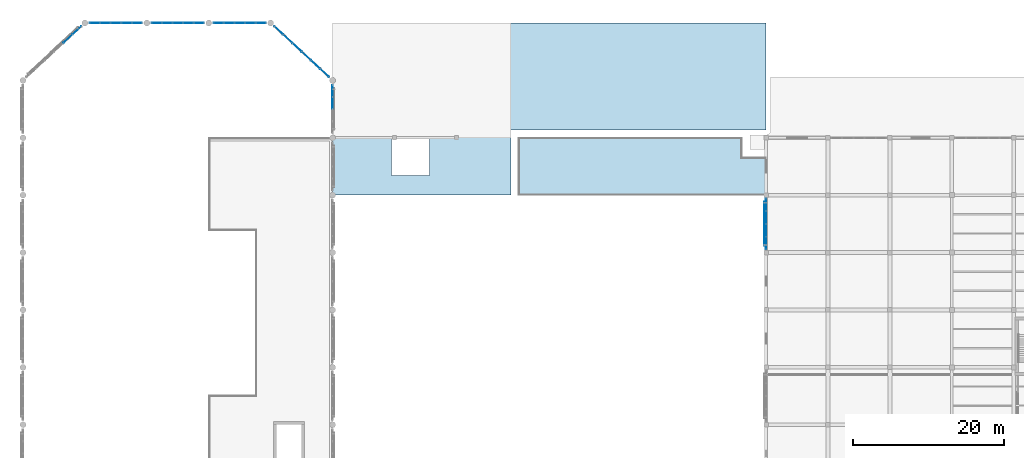
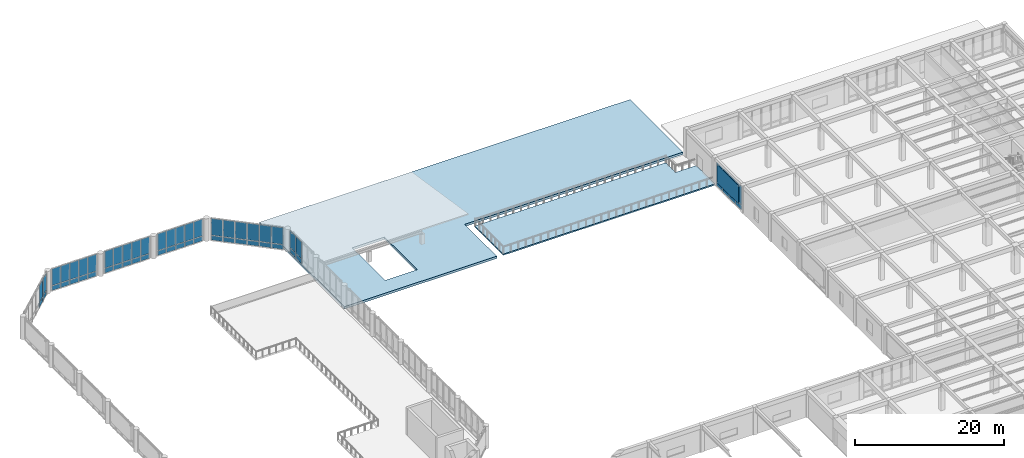
# One storey, part 31 of 49: 59 plates, 2 slabs, 7 elements without a shape of their own.
"""IFC4 building model written with IfcOpenShell, lengths in metres."""

from ifc_helpers import new_model, si_unit, direction, frame, origin, origin_2d, place, context, subcontext, project, spatial, polyline, rectangle, outline, extrude, material, layer, layer_set, type_object, element, aggregate, save


model = new_model("IFC4")

# Units and contexts
model_context = context("Model", 3, precision=1e-05, world=origin(), true_north=direction((0.0, 1.0)))
body_context = subcontext(model_context, "Body", "Model", "MODEL_VIEW")
ifc_project = project(units=[si_unit("LENGTHUNIT", "METRE"), si_unit("AREAUNIT", "SQUARE_METRE"), si_unit("VOLUMEUNIT", "CUBIC_METRE"), si_unit("PLANEANGLEUNIT", "RADIAN"), si_unit("MASSUNIT", "GRAM", prefix="KILO")], contexts=[model_context])

# Site, building, storey
site_placement = place(None, origin())
site = spatial("IfcSite", under=ifc_project, at=site_placement, CompositionType="ELEMENT")
building_placement = place(site_placement, origin())
building = spatial("IfcBuilding", under=site, at=building_placement, Name="Qandaris Square Conservatory and Botanical Centre", CompositionType="ELEMENT")
storey_placement = place(building_placement, frame((0.0, 0.0, 10.199951171875)))
storey = spatial("IfcBuildingStorey", under=building, at=storey_placement, Name="L02", CompositionType="ELEMENT", Elevation=10.199951171875)

# Curtain wall, plates
ifc_material_1 = material(Name="Anodised Aluminium", Category="aluminium")
curtain_wall_type_1 = type_object("IfcCurtainWallType", Name="Unitised Curtain Wall CW-2-644x370", PredefinedType="USERDEFINED", material=ifc_material_1)
curtain_wall_1_placement = place(storey_placement, origin())
curtain_wall_1 = element("IfcCurtainWall", 1, at=curtain_wall_1_placement, inside=storey, type_object=curtain_wall_type_1, Name="Curtain Wall CW-CON-L02-3-7", ObjectType="GLAZED CURTAIN WALL", PredefinedType="USERDEFINED")
ifc_material_2 = material(Name="Tempered Low-E Glass", Category="glass")
ifc_layer_1 = layer(ifc_material_2, 0.0400390625)
ifc_layer_set_1 = layer_set([ifc_layer_1], Name="Tempered Low-E Glass")
plate_type_1 = type_object("IfcPlateType", Name="Conservatory Laminated Low-Iron Biome Glass 40mm", PredefinedType="CURTAIN_PANEL", material=ifc_layer_set_1)
plate_1_placement = place(storey_placement, frame((57.199951171875, 104.804931640625, 0.0751953125), z_axis=(0.0, 0.0, 1.0), x_axis=(0.0, 1.0, 0.0)))
plate_1 = element("IfcPlate", 2, at=plate_1_placement, type_object=plate_type_1, Name="CW-2-644x370 panel 3.1", PredefinedType="CURTAIN_PANEL", context=body_context, shape_type="SweptSolid", body=[
    extrude(rectangle(XDim=1.534912109375, YDim=0.0400390625, at=origin_2d()), origin(), (0.0, 0.0, 1.0), 0.737548828125),
])
plate_2_placement = place(storey_placement, frame((57.199951171875, 104.804931640625, 0.8876953125), z_axis=(0.0, 0.0, 1.0), x_axis=(0.0, 1.0, 0.0)))
plate_2 = element("IfcPlate", 3, at=plate_2_placement, type_object=plate_type_1, Name="CW-2-644x370 panel 3.2", PredefinedType="CURTAIN_PANEL", context=body_context, shape_type="SweptSolid", body=[
    extrude(rectangle(XDim=1.534912109375, YDim=0.0400390625, at=origin_2d()), origin(), (0.0, 0.0, 1.0), 2.737548828125),
])
plate_3_placement = place(storey_placement, frame((57.199951171875, 106.396240234375, 0.0751953125), z_axis=(0.0, 0.0, 1.0), x_axis=(0.0, 1.0, 0.0)))
plate_3 = element("IfcPlate", 4, at=plate_3_placement, type_object=plate_type_1, Name="CW-2-644x370 panel 4.1", PredefinedType="CURTAIN_PANEL", context=body_context, shape_type="SweptSolid", body=[
    extrude(rectangle(XDim=1.49755859375, YDim=0.0400390625, at=origin_2d()), origin(), (0.0, 0.0, 1.0), 0.737548828125),
])
plate_4_placement = place(storey_placement, frame((57.199951171875, 106.396240234375, 0.8876953125), z_axis=(0.0, 0.0, 1.0), x_axis=(0.0, 1.0, 0.0)))
plate_4 = element("IfcPlate", 5, at=plate_4_placement, type_object=plate_type_1, Name="CW-2-644x370 panel 4.2", PredefinedType="CURTAIN_PANEL", context=body_context, shape_type="SweptSolid", body=[
    extrude(rectangle(XDim=1.49755859375, YDim=0.0400390625, at=origin_2d()), origin(), (0.0, 0.0, 1.0), 2.737548828125),
])
aggregate(curtain_wall_1, [plate_1, plate_2, plate_3, plate_4])

curtain_wall_type_2 = type_object("IfcCurtainWallType", Name="Unitised Curtain Wall CW-2-1002x370", PredefinedType="USERDEFINED", material=ifc_material_1)
curtain_wall_2_placement = place(storey_placement, origin())
curtain_wall_2 = element("IfcCurtainWall", 6, at=curtain_wall_2_placement, inside=storey, type_object=curtain_wall_type_2, Name="Curtain Wall CW-CON-L02-4-1", ObjectType="GLAZED CURTAIN WALL", PredefinedType="USERDEFINED")
plate_5_placement = place(storey_placement, frame((56.1484375, 108.774658203125, 0.0751953125), z_axis=(0.0, 0.0, 1.0), x_axis=(-0.733432966404, 0.679761784592, 0.0)))
plate_5 = element("IfcPlate", 7, at=plate_5_placement, type_object=plate_type_1, Name="CW-2-1002x370 panel 1.1", PredefinedType="CURTAIN_PANEL", context=body_context, shape_type="SweptSolid", body=[
    extrude(rectangle(XDim=1.5576171875, YDim=0.0400390625, at=origin_2d()), origin(), (0.0, 0.0, 1.0), 0.737548828125),
])
plate_6_placement = place(storey_placement, frame((56.1484375, 108.774658203125, 0.8876953125), z_axis=(0.0, 0.0, 1.0), x_axis=(-0.733432966404, 0.679761784592, 0.0)))
plate_6 = element("IfcPlate", 8, at=plate_6_placement, type_object=plate_type_1, Name="CW-2-1002x370 panel 1.2", PredefinedType="CURTAIN_PANEL", context=body_context, shape_type="SweptSolid", body=[
    extrude(rectangle(XDim=1.5576171875, YDim=0.0400390625, at=origin_2d()), origin(), (0.0, 0.0, 1.0), 2.737548828125),
])
plate_7_placement = place(storey_placement, frame((54.937255859375, 109.897216796875, 0.0751953125), z_axis=(0.0, 0.0, 1.0), x_axis=(-0.733432966404, 0.679761784592, 0.0)))
plate_7 = element("IfcPlate", 9, at=plate_7_placement, type_object=plate_type_1, Name="CW-2-1002x370 panel 2.1", PredefinedType="CURTAIN_PANEL", context=body_context, shape_type="SweptSolid", body=[
    extrude(rectangle(XDim=1.594970703125, YDim=0.0400390625, at=origin_2d()), origin(), (0.0, 0.0, 1.0), 0.737548828125),
])
plate_8_placement = place(storey_placement, frame((54.937255859375, 109.897216796875, 0.8876953125), z_axis=(0.0, 0.0, 1.0), x_axis=(-0.733432966404, 0.679761784592, 0.0)))
plate_8 = element("IfcPlate", 10, at=plate_8_placement, type_object=plate_type_1, Name="CW-2-1002x370 panel 2.2", PredefinedType="CURTAIN_PANEL", context=body_context, shape_type="SweptSolid", body=[
    extrude(rectangle(XDim=1.594970703125, YDim=0.0400390625, at=origin_2d()), origin(), (0.0, 0.0, 1.0), 2.737548828125),
])
plate_9_placement = place(storey_placement, frame((53.71240234375, 111.032470703125, 0.0751953125), z_axis=(0.0, 0.0, 1.0), x_axis=(-0.733432966404, 0.679761784592, 0.0)))
plate_9 = element("IfcPlate", 11, at=plate_9_placement, type_object=plate_type_1, Name="CW-2-1002x370 panel 3.1", PredefinedType="CURTAIN_PANEL", context=body_context, shape_type="SweptSolid", body=[
    extrude(rectangle(XDim=1.594970703125, YDim=0.0400390625, at=origin_2d()), origin(), (0.0, 0.0, 1.0), 0.737548828125),
])
plate_10_placement = place(storey_placement, frame((53.71240234375, 111.032470703125, 0.8876953125), z_axis=(0.0, 0.0, 1.0), x_axis=(-0.733432966404, 0.679761784592, 0.0)))
plate_10 = element("IfcPlate", 12, at=plate_10_placement, type_object=plate_type_1, Name="CW-2-1002x370 panel 3.2", PredefinedType="CURTAIN_PANEL", context=body_context, shape_type="SweptSolid", body=[
    extrude(rectangle(XDim=1.594970703125, YDim=0.0400390625, at=origin_2d()), origin(), (0.0, 0.0, 1.0), 2.737548828125),
])
plate_11_placement = place(storey_placement, frame((52.487548828125, 112.167724609375, 0.0751953125), z_axis=(0.0, 0.0, 1.0), x_axis=(-0.733432966404, 0.679761784592, 0.0)))
plate_11 = element("IfcPlate", 13, at=plate_11_placement, type_object=plate_type_1, Name="CW-2-1002x370 panel 4.1", PredefinedType="CURTAIN_PANEL", context=body_context, shape_type="SweptSolid", body=[
    extrude(rectangle(XDim=1.594970703125, YDim=0.0400390625, at=origin_2d()), origin(), (0.0, 0.0, 1.0), 0.737548828125),
])
plate_12_placement = place(storey_placement, frame((52.487548828125, 112.167724609375, 0.8876953125), z_axis=(0.0, 0.0, 1.0), x_axis=(-0.733432966404, 0.679761784592, 0.0)))
plate_12 = element("IfcPlate", 14, at=plate_12_placement, type_object=plate_type_1, Name="CW-2-1002x370 panel 4.2", PredefinedType="CURTAIN_PANEL", context=body_context, shape_type="SweptSolid", body=[
    extrude(rectangle(XDim=1.594970703125, YDim=0.0400390625, at=origin_2d()), origin(), (0.0, 0.0, 1.0), 2.737548828125),
])
plate_13_placement = place(storey_placement, frame((51.2626953125, 113.302734375, 0.0751953125), z_axis=(0.0, 0.0, 1.0), x_axis=(-0.733432966404, 0.679761784592, 0.0)))
plate_13 = element("IfcPlate", 15, at=plate_13_placement, type_object=plate_type_1, Name="CW-2-1002x370 panel 5.1", PredefinedType="CURTAIN_PANEL", context=body_context, shape_type="SweptSolid", body=[
    extrude(rectangle(XDim=1.594970703125, YDim=0.0400390625, at=origin_2d()), origin(), (0.0, 0.0, 1.0), 0.737548828125),
])
plate_14_placement = place(storey_placement, frame((51.2626953125, 113.302734375, 0.8876953125), z_axis=(0.0, 0.0, 1.0), x_axis=(-0.733432966404, 0.679761784592, 0.0)))
plate_14 = element("IfcPlate", 16, at=plate_14_placement, type_object=plate_type_1, Name="CW-2-1002x370 panel 5.2", PredefinedType="CURTAIN_PANEL", context=body_context, shape_type="SweptSolid", body=[
    extrude(rectangle(XDim=1.594970703125, YDim=0.0400390625, at=origin_2d()), origin(), (0.0, 0.0, 1.0), 2.737548828125),
])
plate_15_placement = place(storey_placement, frame((50.051513671875, 114.42529296875, 0.0751953125), z_axis=(0.0, 0.0, 1.0), x_axis=(-0.733432966404, 0.679761784592, 0.0)))
plate_15 = element("IfcPlate", 17, at=plate_15_placement, type_object=plate_type_1, Name="CW-2-1002x370 panel 6.1", PredefinedType="CURTAIN_PANEL", context=body_context, shape_type="SweptSolid", body=[
    extrude(rectangle(XDim=1.5576171875, YDim=0.0400390625, at=origin_2d()), origin(), (0.0, 0.0, 1.0), 0.737548828125),
])
plate_16_placement = place(storey_placement, frame((50.051513671875, 114.42529296875, 0.8876953125), z_axis=(0.0, 0.0, 1.0), x_axis=(-0.733432966404, 0.679761784592, 0.0)))
plate_16 = element("IfcPlate", 18, at=plate_16_placement, type_object=plate_type_1, Name="CW-2-1002x370 panel 6.2", PredefinedType="CURTAIN_PANEL", context=body_context, shape_type="SweptSolid", body=[
    extrude(rectangle(XDim=1.5576171875, YDim=0.0400390625, at=origin_2d()), origin(), (0.0, 0.0, 1.0), 2.737548828125),
])
aggregate(curtain_wall_2, [plate_5, plate_6, plate_7, plate_8, plate_9, plate_10, plate_11, plate_12, plate_13, plate_14, plate_15, plate_16])

curtain_wall_type_3 = type_object("IfcCurtainWallType", Name="Unitised Curtain Wall CW-2-704x370", PredefinedType="USERDEFINED", material=ifc_material_1)
curtain_wall_3_placement = place(storey_placement, origin())
curtain_wall_3 = element("IfcCurtainWall", 19, at=curtain_wall_3_placement, inside=storey, type_object=curtain_wall_type_3, Name="Curtain Wall CW-CON-L02-5-1", ObjectType="GLAZED CURTAIN WALL", PredefinedType="USERDEFINED")
plate_17_placement = place(storey_placement, frame((47.697265625, 115.39990234375, 0.0751953125), z_axis=(0.0, 0.0, 1.0), x_axis=(-1.0, 0.0, 0.0)))
plate_17 = element("IfcPlate", 20, at=plate_17_placement, type_object=plate_type_1, Name="CW-2-704x370 panel 1.1", PredefinedType="CURTAIN_PANEL", context=body_context, shape_type="SweptSolid", body=[
    extrude(rectangle(XDim=1.29541015625, YDim=0.0400390625, at=origin_2d()), origin(), (0.0, 0.0, 1.0), 0.737548828125),
])
plate_18_placement = place(storey_placement, frame((47.697265625, 115.39990234375, 0.8876953125), z_axis=(0.0, 0.0, 1.0), x_axis=(-1.0, 0.0, 0.0)))
plate_18 = element("IfcPlate", 21, at=plate_18_placement, type_object=plate_type_1, Name="CW-2-704x370 panel 1.2", PredefinedType="CURTAIN_PANEL", context=body_context, shape_type="SweptSolid", body=[
    extrude(rectangle(XDim=1.29541015625, YDim=0.0400390625, at=origin_2d()), origin(), (0.0, 0.0, 1.0), 2.737548828125),
])
plate_19_placement = place(storey_placement, frame((46.30810546875, 115.39990234375, 0.0751953125), z_axis=(0.0, 0.0, 1.0), x_axis=(-1.0, 0.0, 0.0)))
plate_19 = element("IfcPlate", 22, at=plate_19_placement, type_object=plate_type_1, Name="CW-2-704x370 panel 2.1", PredefinedType="CURTAIN_PANEL", context=body_context, shape_type="SweptSolid", body=[
    extrude(rectangle(XDim=1.3330078125, YDim=0.0400390625, at=origin_2d()), origin(), (0.0, 0.0, 1.0), 0.737548828125),
])
plate_20_placement = place(storey_placement, frame((46.30810546875, 115.39990234375, 0.8876953125), z_axis=(0.0, 0.0, 1.0), x_axis=(-1.0, 0.0, 0.0)))
plate_20 = element("IfcPlate", 23, at=plate_20_placement, type_object=plate_type_1, Name="CW-2-704x370 panel 2.2", PredefinedType="CURTAIN_PANEL", context=body_context, shape_type="SweptSolid", body=[
    extrude(rectangle(XDim=1.3330078125, YDim=0.0400390625, at=origin_2d()), origin(), (0.0, 0.0, 1.0), 2.737548828125),
])
plate_21_placement = place(storey_placement, frame((44.89990234375, 115.39990234375, 0.0751953125), z_axis=(0.0, 0.0, 1.0), x_axis=(-1.0, 0.0, 0.0)))
plate_21 = element("IfcPlate", 24, at=plate_21_placement, type_object=plate_type_1, Name="CW-2-704x370 panel 3.1", PredefinedType="CURTAIN_PANEL", context=body_context, shape_type="SweptSolid", body=[
    extrude(rectangle(XDim=1.3330078125, YDim=0.0400390625, at=origin_2d()), origin(), (0.0, 0.0, 1.0), 0.737548828125),
])
plate_22_placement = place(storey_placement, frame((44.89990234375, 115.39990234375, 0.8876953125), z_axis=(0.0, 0.0, 1.0), x_axis=(-1.0, 0.0, 0.0)))
plate_22 = element("IfcPlate", 25, at=plate_22_placement, type_object=plate_type_1, Name="CW-2-704x370 panel 3.2", PredefinedType="CURTAIN_PANEL", context=body_context, shape_type="SweptSolid", body=[
    extrude(rectangle(XDim=1.3330078125, YDim=0.0400390625, at=origin_2d()), origin(), (0.0, 0.0, 1.0), 2.737548828125),
])
plate_23_placement = place(storey_placement, frame((43.491943359375, 115.39990234375, 0.0751953125), z_axis=(0.0, 0.0, 1.0), x_axis=(-1.0, 0.0, 0.0)))
plate_23 = element("IfcPlate", 26, at=plate_23_placement, type_object=plate_type_1, Name="CW-2-704x370 panel 4.1", PredefinedType="CURTAIN_PANEL", context=body_context, shape_type="SweptSolid", body=[
    extrude(rectangle(XDim=1.3330078125, YDim=0.0400390625, at=origin_2d()), origin(), (0.0, 0.0, 1.0), 0.737548828125),
])
plate_24_placement = place(storey_placement, frame((43.491943359375, 115.39990234375, 0.8876953125), z_axis=(0.0, 0.0, 1.0), x_axis=(-1.0, 0.0, 0.0)))
plate_24 = element("IfcPlate", 27, at=plate_24_placement, type_object=plate_type_1, Name="CW-2-704x370 panel 4.2", PredefinedType="CURTAIN_PANEL", context=body_context, shape_type="SweptSolid", body=[
    extrude(rectangle(XDim=1.3330078125, YDim=0.0400390625, at=origin_2d()), origin(), (0.0, 0.0, 1.0), 2.737548828125),
])
plate_25_placement = place(storey_placement, frame((42.102783203125, 115.39990234375, 0.0751953125), z_axis=(0.0, 0.0, 1.0), x_axis=(-1.0, 0.0, 0.0)))
plate_25 = element("IfcPlate", 28, at=plate_25_placement, type_object=plate_type_1, Name="CW-2-704x370 panel 5.1", PredefinedType="CURTAIN_PANEL", context=body_context, shape_type="SweptSolid", body=[
    extrude(rectangle(XDim=1.29541015625, YDim=0.0400390625, at=origin_2d()), origin(), (0.0, 0.0, 1.0), 0.737548828125),
])
plate_26_placement = place(storey_placement, frame((42.102783203125, 115.39990234375, 0.8876953125), z_axis=(0.0, 0.0, 1.0), x_axis=(-1.0, 0.0, 0.0)))
plate_26 = element("IfcPlate", 29, at=plate_26_placement, type_object=plate_type_1, Name="CW-2-704x370 panel 5.2", PredefinedType="CURTAIN_PANEL", context=body_context, shape_type="SweptSolid", body=[
    extrude(rectangle(XDim=1.29541015625, YDim=0.0400390625, at=origin_2d()), origin(), (0.0, 0.0, 1.0), 2.737548828125),
])
aggregate(curtain_wall_3, [plate_17, plate_18, plate_19, plate_20, plate_21, plate_22, plate_23, plate_24, plate_25, plate_26])

curtain_wall_4_placement = place(storey_placement, origin())
curtain_wall_4 = element("IfcCurtainWall", 30, at=curtain_wall_4_placement, inside=storey, type_object=curtain_wall_type_3, Name="Curtain Wall CW-CON-L02-5-2", ObjectType="GLAZED CURTAIN WALL", PredefinedType="USERDEFINED")
plate_27_placement = place(storey_placement, frame((39.497314453125, 115.39990234375, 0.0751953125), z_axis=(0.0, 0.0, 1.0), x_axis=(-1.0, 0.0, 0.0)))
plate_27 = element("IfcPlate", 31, at=plate_27_placement, type_object=plate_type_1, Name="CW-2-704x370 panel 1.1", PredefinedType="CURTAIN_PANEL", context=body_context, shape_type="SweptSolid", body=[
    extrude(rectangle(XDim=1.29541015625, YDim=0.0400390625, at=origin_2d()), origin(), (0.0, 0.0, 1.0), 0.737548828125),
])
plate_28_placement = place(storey_placement, frame((39.497314453125, 115.39990234375, 0.8876953125), z_axis=(0.0, 0.0, 1.0), x_axis=(-1.0, 0.0, 0.0)))
plate_28 = element("IfcPlate", 32, at=plate_28_placement, type_object=plate_type_1, Name="CW-2-704x370 panel 1.2", PredefinedType="CURTAIN_PANEL", context=body_context, shape_type="SweptSolid", body=[
    extrude(rectangle(XDim=1.29541015625, YDim=0.0400390625, at=origin_2d()), origin(), (0.0, 0.0, 1.0), 2.737548828125),
])
plate_29_placement = place(storey_placement, frame((38.10791015625, 115.39990234375, 0.0751953125), z_axis=(0.0, 0.0, 1.0), x_axis=(-1.0, 0.0, 0.0)))
plate_29 = element("IfcPlate", 33, at=plate_29_placement, type_object=plate_type_1, Name="CW-2-704x370 panel 2.1", PredefinedType="CURTAIN_PANEL", context=body_context, shape_type="SweptSolid", body=[
    extrude(rectangle(XDim=1.3330078125, YDim=0.0400390625, at=origin_2d()), origin(), (0.0, 0.0, 1.0), 0.737548828125),
])
plate_30_placement = place(storey_placement, frame((38.10791015625, 115.39990234375, 0.8876953125), z_axis=(0.0, 0.0, 1.0), x_axis=(-1.0, 0.0, 0.0)))
plate_30 = element("IfcPlate", 34, at=plate_30_placement, type_object=plate_type_1, Name="CW-2-704x370 panel 2.2", PredefinedType="CURTAIN_PANEL", context=body_context, shape_type="SweptSolid", body=[
    extrude(rectangle(XDim=1.3330078125, YDim=0.0400390625, at=origin_2d()), origin(), (0.0, 0.0, 1.0), 2.737548828125),
])
plate_31_placement = place(storey_placement, frame((36.699951171875, 115.39990234375, 0.0751953125), z_axis=(0.0, 0.0, 1.0), x_axis=(-1.0, 0.0, 0.0)))
plate_31 = element("IfcPlate", 35, at=plate_31_placement, type_object=plate_type_1, Name="CW-2-704x370 panel 3.1", PredefinedType="CURTAIN_PANEL", context=body_context, shape_type="SweptSolid", body=[
    extrude(rectangle(XDim=1.3330078125, YDim=0.0400390625, at=origin_2d()), origin(), (0.0, 0.0, 1.0), 0.737548828125),
])
plate_32_placement = place(storey_placement, frame((36.699951171875, 115.39990234375, 0.8876953125), z_axis=(0.0, 0.0, 1.0), x_axis=(-1.0, 0.0, 0.0)))
plate_32 = element("IfcPlate", 36, at=plate_32_placement, type_object=plate_type_1, Name="CW-2-704x370 panel 3.2", PredefinedType="CURTAIN_PANEL", context=body_context, shape_type="SweptSolid", body=[
    extrude(rectangle(XDim=1.3330078125, YDim=0.0400390625, at=origin_2d()), origin(), (0.0, 0.0, 1.0), 2.737548828125),
])
plate_33_placement = place(storey_placement, frame((35.2919921875, 115.39990234375, 0.0751953125), z_axis=(0.0, 0.0, 1.0), x_axis=(-1.0, 0.0, 0.0)))
plate_33 = element("IfcPlate", 37, at=plate_33_placement, type_object=plate_type_1, Name="CW-2-704x370 panel 4.1", PredefinedType="CURTAIN_PANEL", context=body_context, shape_type="SweptSolid", body=[
    extrude(rectangle(XDim=1.3330078125, YDim=0.0400390625, at=origin_2d()), origin(), (0.0, 0.0, 1.0), 0.737548828125),
])
plate_34_placement = place(storey_placement, frame((35.2919921875, 115.39990234375, 0.8876953125), z_axis=(0.0, 0.0, 1.0), x_axis=(-1.0, 0.0, 0.0)))
plate_34 = element("IfcPlate", 38, at=plate_34_placement, type_object=plate_type_1, Name="CW-2-704x370 panel 4.2", PredefinedType="CURTAIN_PANEL", context=body_context, shape_type="SweptSolid", body=[
    extrude(rectangle(XDim=1.3330078125, YDim=0.0400390625, at=origin_2d()), origin(), (0.0, 0.0, 1.0), 2.737548828125),
])
plate_35_placement = place(storey_placement, frame((33.90283203125, 115.39990234375, 0.0751953125), z_axis=(0.0, 0.0, 1.0), x_axis=(-1.0, 0.0, 0.0)))
plate_35 = element("IfcPlate", 39, at=plate_35_placement, type_object=plate_type_1, Name="CW-2-704x370 panel 5.1", PredefinedType="CURTAIN_PANEL", context=body_context, shape_type="SweptSolid", body=[
    extrude(rectangle(XDim=1.29541015625, YDim=0.0400390625, at=origin_2d()), origin(), (0.0, 0.0, 1.0), 0.737548828125),
])
plate_36_placement = place(storey_placement, frame((33.90283203125, 115.39990234375, 0.8876953125), z_axis=(0.0, 0.0, 1.0), x_axis=(-1.0, 0.0, 0.0)))
plate_36 = element("IfcPlate", 40, at=plate_36_placement, type_object=plate_type_1, Name="CW-2-704x370 panel 5.2", PredefinedType="CURTAIN_PANEL", context=body_context, shape_type="SweptSolid", body=[
    extrude(rectangle(XDim=1.29541015625, YDim=0.0400390625, at=origin_2d()), origin(), (0.0, 0.0, 1.0), 2.737548828125),
])
aggregate(curtain_wall_4, [plate_27, plate_28, plate_29, plate_30, plate_31, plate_32, plate_33, plate_34, plate_35, plate_36])

curtain_wall_5_placement = place(storey_placement, origin())
curtain_wall_5 = element("IfcCurtainWall", 41, at=curtain_wall_5_placement, inside=storey, type_object=curtain_wall_type_3, Name="Curtain Wall CW-CON-L02-5-3", ObjectType="GLAZED CURTAIN WALL", PredefinedType="USERDEFINED")
plate_37_placement = place(storey_placement, frame((31.29736328125, 115.39990234375, 0.0751953125), z_axis=(0.0, 0.0, 1.0), x_axis=(-1.0, 0.0, 0.0)))
plate_37 = element("IfcPlate", 42, at=plate_37_placement, type_object=plate_type_1, Name="CW-2-704x370 panel 1.1", PredefinedType="CURTAIN_PANEL", context=body_context, shape_type="SweptSolid", body=[
    extrude(rectangle(XDim=1.29541015625, YDim=0.0400390625, at=origin_2d()), origin(), (0.0, 0.0, 1.0), 0.737548828125),
])
plate_38_placement = place(storey_placement, frame((31.29736328125, 115.39990234375, 0.8876953125), z_axis=(0.0, 0.0, 1.0), x_axis=(-1.0, 0.0, 0.0)))
plate_38 = element("IfcPlate", 43, at=plate_38_placement, type_object=plate_type_1, Name="CW-2-704x370 panel 1.2", PredefinedType="CURTAIN_PANEL", context=body_context, shape_type="SweptSolid", body=[
    extrude(rectangle(XDim=1.29541015625, YDim=0.0400390625, at=origin_2d()), origin(), (0.0, 0.0, 1.0), 2.737548828125),
])
plate_39_placement = place(storey_placement, frame((29.907958984375, 115.39990234375, 0.0751953125), z_axis=(0.0, 0.0, 1.0), x_axis=(-1.0, 0.0, 0.0)))
plate_39 = element("IfcPlate", 44, at=plate_39_placement, type_object=plate_type_1, Name="CW-2-704x370 panel 2.1", PredefinedType="CURTAIN_PANEL", context=body_context, shape_type="SweptSolid", body=[
    extrude(rectangle(XDim=1.3330078125, YDim=0.0400390625, at=origin_2d()), origin(), (0.0, 0.0, 1.0), 0.737548828125),
])
plate_40_placement = place(storey_placement, frame((29.907958984375, 115.39990234375, 0.8876953125), z_axis=(0.0, 0.0, 1.0), x_axis=(-1.0, 0.0, 0.0)))
plate_40 = element("IfcPlate", 45, at=plate_40_placement, type_object=plate_type_1, Name="CW-2-704x370 panel 2.2", PredefinedType="CURTAIN_PANEL", context=body_context, shape_type="SweptSolid", body=[
    extrude(rectangle(XDim=1.3330078125, YDim=0.0400390625, at=origin_2d()), origin(), (0.0, 0.0, 1.0), 2.737548828125),
])
plate_41_placement = place(storey_placement, frame((28.5, 115.39990234375, 0.0751953125), z_axis=(0.0, 0.0, 1.0), x_axis=(-1.0, 0.0, 0.0)))
plate_41 = element("IfcPlate", 46, at=plate_41_placement, type_object=plate_type_1, Name="CW-2-704x370 panel 3.1", PredefinedType="CURTAIN_PANEL", context=body_context, shape_type="SweptSolid", body=[
    extrude(rectangle(XDim=1.3330078125, YDim=0.0400390625, at=origin_2d()), origin(), (0.0, 0.0, 1.0), 0.737548828125),
])
plate_42_placement = place(storey_placement, frame((28.5, 115.39990234375, 0.8876953125), z_axis=(0.0, 0.0, 1.0), x_axis=(-1.0, 0.0, 0.0)))
plate_42 = element("IfcPlate", 47, at=plate_42_placement, type_object=plate_type_1, Name="CW-2-704x370 panel 3.2", PredefinedType="CURTAIN_PANEL", context=body_context, shape_type="SweptSolid", body=[
    extrude(rectangle(XDim=1.3330078125, YDim=0.0400390625, at=origin_2d()), origin(), (0.0, 0.0, 1.0), 2.737548828125),
])
plate_43_placement = place(storey_placement, frame((27.092041015625, 115.39990234375, 0.0751953125), z_axis=(0.0, 0.0, 1.0), x_axis=(-1.0, 0.0, 0.0)))
plate_43 = element("IfcPlate", 48, at=plate_43_placement, type_object=plate_type_1, Name="CW-2-704x370 panel 4.1", PredefinedType="CURTAIN_PANEL", context=body_context, shape_type="SweptSolid", body=[
    extrude(rectangle(XDim=1.3330078125, YDim=0.0400390625, at=origin_2d()), origin(), (0.0, 0.0, 1.0), 0.737548828125),
])
plate_44_placement = place(storey_placement, frame((27.092041015625, 115.39990234375, 0.8876953125), z_axis=(0.0, 0.0, 1.0), x_axis=(-1.0, 0.0, 0.0)))
plate_44 = element("IfcPlate", 49, at=plate_44_placement, type_object=plate_type_1, Name="CW-2-704x370 panel 4.2", PredefinedType="CURTAIN_PANEL", context=body_context, shape_type="SweptSolid", body=[
    extrude(rectangle(XDim=1.3330078125, YDim=0.0400390625, at=origin_2d()), origin(), (0.0, 0.0, 1.0), 2.737548828125),
])
plate_45_placement = place(storey_placement, frame((25.70263671875, 115.39990234375, 0.0751953125), z_axis=(0.0, 0.0, 1.0), x_axis=(-1.0, 0.0, 0.0)))
plate_45 = element("IfcPlate", 50, at=plate_45_placement, type_object=plate_type_1, Name="CW-2-704x370 panel 5.1", PredefinedType="CURTAIN_PANEL", context=body_context, shape_type="SweptSolid", body=[
    extrude(rectangle(XDim=1.29541015625, YDim=0.0400390625, at=origin_2d()), origin(), (0.0, 0.0, 1.0), 0.737548828125),
])
plate_46_placement = place(storey_placement, frame((25.70263671875, 115.39990234375, 0.8876953125), z_axis=(0.0, 0.0, 1.0), x_axis=(-1.0, 0.0, 0.0)))
plate_46 = element("IfcPlate", 51, at=plate_46_placement, type_object=plate_type_1, Name="CW-2-704x370 panel 5.2", PredefinedType="CURTAIN_PANEL", context=body_context, shape_type="SweptSolid", body=[
    extrude(rectangle(XDim=1.29541015625, YDim=0.0400390625, at=origin_2d()), origin(), (0.0, 0.0, 1.0), 2.737548828125),
])
aggregate(curtain_wall_5, [plate_37, plate_38, plate_39, plate_40, plate_41, plate_42, plate_43, plate_44, plate_45, plate_46])

curtain_wall_6_placement = place(storey_placement, origin())
curtain_wall_6 = element("IfcCurtainWall", 52, at=curtain_wall_6_placement, inside=storey, type_object=curtain_wall_type_2, Name="Curtain Wall CW-CON-L02-6-1", ObjectType="GLAZED CURTAIN WALL", PredefinedType="USERDEFINED")
plate_47_placement = place(storey_placement, frame((23.348388671875, 114.42529296875, 0.0751953125), z_axis=(0.0, 0.0, 1.0), x_axis=(-0.733432966404, -0.679761784592, 0.0)))
plate_47 = element("IfcPlate", 53, at=plate_47_placement, type_object=plate_type_1, Name="CW-2-1002x370 panel 1.1", PredefinedType="CURTAIN_PANEL", context=body_context, shape_type="SweptSolid", body=[
    extrude(rectangle(XDim=1.5576171875, YDim=0.0400390625, at=origin_2d()), origin(), (0.0, 0.0, 1.0), 0.737548828125),
])
plate_48_placement = place(storey_placement, frame((23.348388671875, 114.42529296875, 0.8876953125), z_axis=(0.0, 0.0, 1.0), x_axis=(-0.733432966404, -0.679761784592, 0.0)))
plate_48 = element("IfcPlate", 54, at=plate_48_placement, type_object=plate_type_1, Name="CW-2-1002x370 panel 1.2", PredefinedType="CURTAIN_PANEL", context=body_context, shape_type="SweptSolid", body=[
    extrude(rectangle(XDim=1.5576171875, YDim=0.0400390625, at=origin_2d()), origin(), (0.0, 0.0, 1.0), 2.737548828125),
])
plate_49_placement = place(storey_placement, frame((22.13720703125, 113.302734375, 0.0751953125), z_axis=(0.0, 0.0, 1.0), x_axis=(-0.733432966404, -0.679761784592, 0.0)))
plate_49 = element("IfcPlate", 55, at=plate_49_placement, type_object=plate_type_1, Name="CW-2-1002x370 panel 2.1", PredefinedType="CURTAIN_PANEL", context=body_context, shape_type="SweptSolid", body=[
    extrude(rectangle(XDim=1.594970703125, YDim=0.0400390625, at=origin_2d()), origin(), (0.0, 0.0, 1.0), 0.737548828125),
])
plate_50_placement = place(storey_placement, frame((22.13720703125, 113.302734375, 0.8876953125), z_axis=(0.0, 0.0, 1.0), x_axis=(-0.733432966404, -0.679761784592, 0.0)))
plate_50 = element("IfcPlate", 56, at=plate_50_placement, type_object=plate_type_1, Name="CW-2-1002x370 panel 2.2", PredefinedType="CURTAIN_PANEL", context=body_context, shape_type="SweptSolid", body=[
    extrude(rectangle(XDim=1.594970703125, YDim=0.0400390625, at=origin_2d()), origin(), (0.0, 0.0, 1.0), 2.737548828125),
])
aggregate(curtain_wall_6, [plate_47, plate_48, plate_49, plate_50])

curtain_wall_type_4 = type_object("IfcCurtainWallType", Name="Unitised Curtain Wall CW-4-680x394", PredefinedType="USERDEFINED", material=ifc_material_1)
curtain_wall_7_placement = place(storey_placement, origin())
curtain_wall_7 = element("IfcCurtainWall", 57, at=curtain_wall_7_placement, inside=storey, type_object=curtain_wall_type_4, Name="Curtain Wall CW-TWR-L02-4-2", ObjectType="GLAZED CURTAIN WALL", PredefinedType="USERDEFINED")
ifc_layer_2 = layer(ifc_material_2, 0.035888671875)
ifc_layer_set_2 = layer_set([ifc_layer_2], Name="Tempered Low-E Glass")
plate_type_2 = type_object("IfcPlateType", Name="Double-Glazed Solar Control Vision Unit 36mm", PredefinedType="CURTAIN_PANEL", material=ifc_layer_set_2)
plate_51_placement = place(storey_placement, frame((114.60009765625, 91.333740234375, 0.065185546875), z_axis=(0.0, 0.0, 1.0), x_axis=(0.0, -1.0, 0.0)))
plate_51 = element("IfcPlate", 58, at=plate_51_placement, type_object=plate_type_2, Name="CW-4-680x394 panel 1.1", PredefinedType="CURTAIN_PANEL", context=body_context, shape_type="SweptSolid", body=[
    extrude(rectangle(XDim=1.6025390625, YDim=0.035888671875, at=origin_2d()), origin(), (0.0, 0.0, 1.0), 0.75244140625),
])
plate_52_placement = place(storey_placement, frame((114.60009765625, 91.333740234375, 0.882568359375), z_axis=(0.0, 0.0, 1.0), x_axis=(0.0, -1.0, 0.0)))
plate_52 = element("IfcPlate", 59, at=plate_52_placement, type_object=plate_type_2, Name="CW-4-680x394 panel 1.2", PredefinedType="CURTAIN_PANEL", context=body_context, shape_type="SweptSolid", body=[
    extrude(rectangle(XDim=1.6025390625, YDim=0.035888671875, at=origin_2d()), origin(), (0.0, 0.0, 1.0), 2.99755859375),
])
plate_53_placement = place(storey_placement, frame((114.60009765625, 89.64990234375, 0.065185546875), z_axis=(0.0, 0.0, 1.0), x_axis=(0.0, -1.0, 0.0)))
plate_53 = element("IfcPlate", 60, at=plate_53_placement, type_object=plate_type_2, Name="CW-4-680x394 panel 2.1", PredefinedType="CURTAIN_PANEL", context=body_context, shape_type="SweptSolid", body=[
    extrude(rectangle(XDim=1.635009765625, YDim=0.035888671875, at=origin_2d()), origin(), (0.0, 0.0, 1.0), 0.75244140625),
])
plate_54_placement = place(storey_placement, frame((114.60009765625, 89.64990234375, 0.882568359375), z_axis=(0.0, 0.0, 1.0), x_axis=(0.0, -1.0, 0.0)))
plate_54 = element("IfcPlate", 61, at=plate_54_placement, type_object=plate_type_2, Name="CW-4-680x394 panel 2.2", PredefinedType="CURTAIN_PANEL", context=body_context, shape_type="SweptSolid", body=[
    extrude(rectangle(XDim=1.635009765625, YDim=0.035888671875, at=origin_2d()), origin(), (0.0, 0.0, 1.0), 2.99755859375),
])
plate_55_placement = place(storey_placement, frame((114.60009765625, 87.949951171875, 0.065185546875), z_axis=(0.0, 0.0, 1.0), x_axis=(0.0, -1.0, 0.0)))
plate_55 = element("IfcPlate", 62, at=plate_55_placement, type_object=plate_type_2, Name="CW-4-680x394 panel 3.1", PredefinedType="CURTAIN_PANEL", context=body_context, shape_type="SweptSolid", body=[
    extrude(rectangle(XDim=1.635009765625, YDim=0.035888671875, at=origin_2d()), origin(), (0.0, 0.0, 1.0), 0.75244140625),
])
plate_56_placement = place(storey_placement, frame((114.60009765625, 87.949951171875, 0.882568359375), z_axis=(0.0, 0.0, 1.0), x_axis=(0.0, -1.0, 0.0)))
plate_56 = element("IfcPlate", 63, at=plate_56_placement, type_object=plate_type_2, Name="CW-4-680x394 panel 3.2", PredefinedType="CURTAIN_PANEL", context=body_context, shape_type="SweptSolid", body=[
    extrude(rectangle(XDim=1.635009765625, YDim=0.035888671875, at=origin_2d()), origin(), (0.0, 0.0, 1.0), 2.99755859375),
])
plate_57_placement = place(storey_placement, frame((114.60009765625, 86.266357421875, 0.065185546875), z_axis=(0.0, 0.0, 1.0), x_axis=(0.0, -1.0, 0.0)))
plate_57 = element("IfcPlate", 64, at=plate_57_placement, type_object=plate_type_2, Name="CW-4-680x394 panel 4.1", PredefinedType="CURTAIN_PANEL", context=body_context, shape_type="SweptSolid", body=[
    extrude(rectangle(XDim=1.6025390625, YDim=0.035888671875, at=origin_2d()), origin(), (0.0, 0.0, 1.0), 0.75244140625),
])
plate_58_placement = place(storey_placement, frame((114.60009765625, 86.266357421875, 0.882568359375), z_axis=(0.0, 0.0, 1.0), x_axis=(0.0, -1.0, 0.0)))
plate_58 = element("IfcPlate", 65, at=plate_58_placement, type_object=plate_type_2, Name="CW-4-680x394 panel 4.2", PredefinedType="CURTAIN_PANEL", context=body_context, shape_type="SweptSolid", body=[
    extrude(rectangle(XDim=1.6025390625, YDim=0.035888671875, at=origin_2d()), origin(), (0.0, 0.0, 1.0), 2.99755859375),
])
aggregate(curtain_wall_7, [plate_51, plate_52, plate_53, plate_54, plate_55, plate_56, plate_57, plate_58])

# Plate
ifc_material_3 = material(Name="Weathering Bronze Alloy", Category="metal")
ifc_layer_3 = layer(ifc_material_3, 0.044921875)
ifc_layer_set_3 = layer_set([ifc_layer_3], Name="Weathering Bronze Alloy")
plate_type_3 = type_object("IfcPlateType", Name="Perforated Bronze Mashrabiya Solar Screen Panel", PredefinedType="USERDEFINED", material=ifc_layer_set_3)
plate_59_placement = place(storey_placement, frame((114.3798828125, 88.800048828125, 0.8798828125), z_axis=(0.0, 0.0, 1.0), x_axis=(0.0, -1.0, 0.0)))
element("IfcPlate", 66, at=plate_59_placement, inside=storey, type_object=plate_type_3, Name="Mashrabiya Solar Screen CW-TWR-L02-4-2", ObjectType="SOLAR SCREEN", PredefinedType="USERDEFINED", context=body_context, shape_type="SweptSolid", body=[
    extrude(rectangle(XDim=5.840087890625, YDim=0.044921875, at=origin_2d()), origin(), (0.0, 0.0, 1.0), 2.97509765625),
])

# Slabs
ifc_material_4 = material(Name="Concrete C40/50", Category="concrete")
ifc_layer_4 = layer(ifc_material_4, 0.215087890625)
ifc_layer_set_4 = layer_set([ifc_layer_4], Name="Concrete C40/50")
slab_type_1 = type_object("IfcSlabType", Name="RC Exterior Terrace Slab 215mm", PredefinedType="FLOOR", material=ifc_layer_set_4)
slab_1_placement = place(storey_placement, frame((0.0, 0.0, -0.21484375)))
element("IfcSlab", 67, at=slab_1_placement, inside=storey, type_object=slab_type_1, Name="Planted Botanical Terrace L02", PredefinedType="FLOOR", context=body_context, shape_type="SweptSolid", body=[
    extrude(outline(polyline([(114.60009765625, 92.60009765625), (81.800048828125, 92.60009765625), (81.800048828125, 100.199951171875), (111.39990234375, 100.199951171875), (111.39990234375, 97.60009765625), (114.60009765625, 97.60009765625), (114.60009765625, 92.60009765625)])), origin(), (0.0, 0.0, 1.0), 0.21484375),
])
ifc_layer_5 = layer(ifc_material_4, 0.3798828125)
ifc_layer_set_5 = layer_set([ifc_layer_5], Name="Concrete C40/50")
slab_type_2 = type_object("IfcSlabType", Name="RC Flat Roof Slab 380mm", PredefinedType="ROOF", material=ifc_layer_set_5)
slab_2_placement = place(storey_placement, frame((0.0, 0.0, -0.3798828125)))
element("IfcSlab", 68, at=slab_2_placement, inside=storey, type_object=slab_type_2, Name="Visitor North Wing Roof Slab L02", PredefinedType="ROOF", context=body_context, shape_type="SweptSolid", body=[
    extrude(outline(polyline([(57.199951171875, 92.60009765625), (57.199951171875, 115.39990234375), (80.800048828125, 115.39990234375), (114.60009765625, 115.39990234375), (114.60009765625, 101.199951171875), (80.800048828125, 101.199951171875), (80.800048828125, 92.60009765625), (57.199951171875, 92.60009765625)]), holes=[polyline([(70.0, 104.0), (65.0, 104.0), (65.0, 95.199951171875), (70.0, 95.199951171875), (70.0, 104.0)])]), origin(), (0.0, 0.0, 1.0), 0.3798828125),
])

save(model, "model.ifc")
